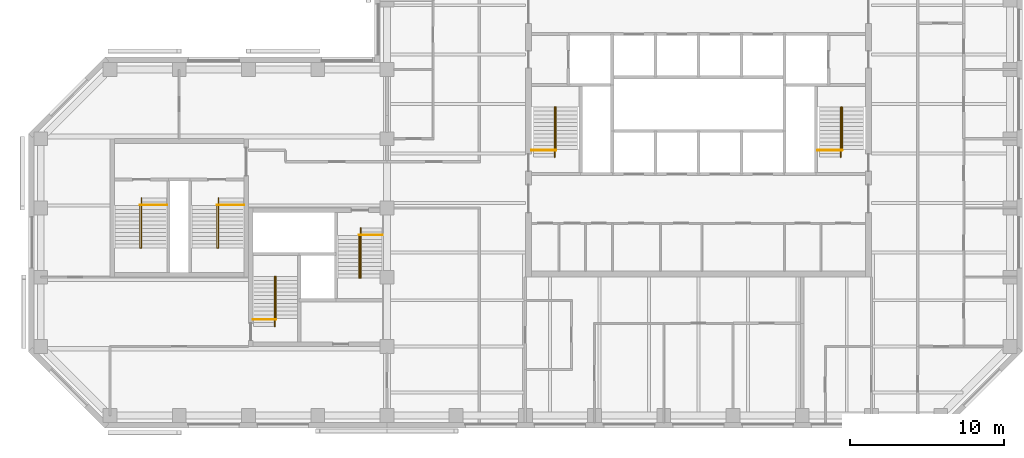
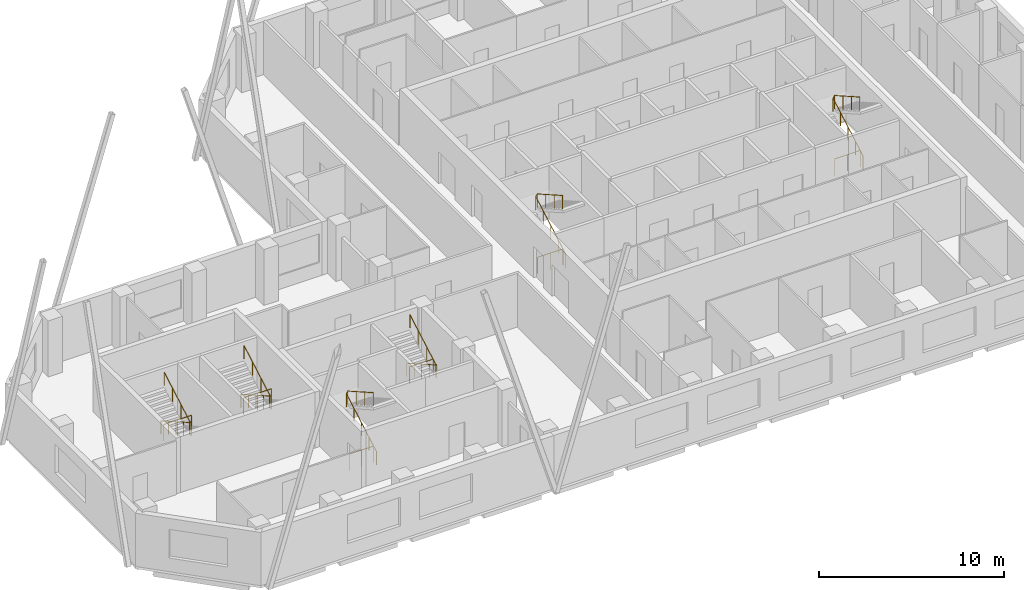
# One storey, part 10 of 10: 12 railings.
"""IFC4 building model written with IfcOpenShell, lengths in metres."""

import ifcopenshell
import ifcopenshell.guid

model = None  # the IFC model being written
_history = None  # IfcOwnerHistory: only IFC2X3 demands one
_inside = {}  # id of a spatial element -> (the spatial element, [elements in it])
_under = {}  # id of a project, library or spatial element -> (it, [spatial elements below it])
_declared = {}  # id of a project -> (the project, [libraries it declares])
_typed = {}  # id of a type object -> (the type object, [elements of that type])
_made_of = {}  # id of a material, layer set ... -> (it, [elements and type objects made of it])


def new_model(schema):
    """Start an empty IFC model of exactly this schema.

    Asked for "IFC4X3", IfcOpenShell would pick the latest addendum, in which some entities
    have other attributes; the version numbers below select the first issue.
    IFC2X3 requires an IfcOwnerHistory on every rooted entity: one is made here for all.
    """
    global model, _history
    if schema == "IFC4X3":
        model = ifcopenshell.file(schema_version=(4, 3, 0, 0))
    else:
        model = ifcopenshell.file(schema=schema)
    _inside.clear()
    _under.clear()
    _declared.clear()
    _typed.clear()
    _made_of.clear()
    _history = None
    if model.schema == "IFC2X3":
        org = make("IfcOrganization", Name="unknown")
        user = make(
            "IfcPersonAndOrganization",
            ThePerson=make("IfcPerson", FamilyName="unknown"),
            TheOrganization=org,
        )
        app = make(
            "IfcApplication",
            ApplicationDeveloper=org,
            Version="unknown",
            ApplicationFullName="unknown",
            ApplicationIdentifier="unknown",
        )
        _history = make(
            "IfcOwnerHistory",
            OwningUser=user,
            OwningApplication=app,
            ChangeAction="ADDED",
            CreationDate=0,
        )
    return model


def make(cls, **values):
    """One entity of the class cls with the attributes given. An attribute that is None is left unset."""
    return model.create_entity(
        cls, **{name: value for name, value in values.items() if value is not None}
    )


def rooted(cls, **values):
    """An entity with a GlobalId (a new one), such as an element, a storey or a relation."""
    return make(cls, GlobalId=ifcopenshell.guid.new(), OwnerHistory=_history, **values)


def si_unit(unit_type, name, prefix=None):
    """IfcSIUnit, for example si_unit("LENGTHUNIT", "METRE", prefix="MILLI")."""
    return make("IfcSIUnit", UnitType=unit_type, Prefix=prefix, Name=name)


def assignment(units):
    """IfcUnitAssignment: the units of a project."""
    return None if units is None else make("IfcUnitAssignment", Units=units)


def point(xyz):
    """IfcCartesianPoint."""
    return None if xyz is None else make("IfcCartesianPoint", Coordinates=xyz)


def direction(xyz):
    """IfcDirection."""
    return None if xyz is None else make("IfcDirection", DirectionRatios=xyz)


def frame(location, z_axis=None, x_axis=None):
    """IfcAxis2Placement3D, a coordinate frame: its origin and axes. An axis left out is left unset."""
    return make(
        "IfcAxis2Placement3D",
        Location=point(location),
        Axis=direction(z_axis),
        RefDirection=direction(x_axis),
    )


def frame_2d(location, x_axis=None):
    """IfcAxis2Placement2D, a coordinate frame in the plane: its origin and x axis."""
    return make(
        "IfcAxis2Placement2D", Location=point(location), RefDirection=direction(x_axis)
    )


def origin():
    """The frame at (0, 0, 0) with its axes left unset."""
    return frame((0.0, 0.0, 0.0))


def origin_2d():
    """The frame at (0, 0) in the plane with its x axis left unset."""
    return frame_2d((0.0, 0.0))


def place(relative_to, where):
    """IfcLocalPlacement: puts the frame where relative to a parent placement (None: the world)."""
    return make(
        "IfcLocalPlacement", PlacementRelTo=relative_to, RelativePlacement=where
    )


def context(
    kind, dimensions, precision=None, world=None, true_north=None, identifier=None
):
    """IfcGeometricRepresentationContext, for example the 3D "Model" context."""
    return make(
        "IfcGeometricRepresentationContext",
        ContextIdentifier=identifier,
        ContextType=kind,
        CoordinateSpaceDimension=dimensions,
        Precision=precision,
        WorldCoordinateSystem=world,
        TrueNorth=true_north,
    )


def subcontext(parent, identifier, kind, view, scale=None):
    """IfcGeometricRepresentationSubContext, for example "Body" below "Model"."""
    return make(
        "IfcGeometricRepresentationSubContext",
        ContextIdentifier=identifier,
        ContextType=kind,
        ParentContext=parent,
        TargetScale=scale,
        TargetView=view,
    )


def project(units=None, contexts=None):
    """IfcProject with its units and contexts."""
    return rooted(
        "IfcProject",
        Name="project",
        RepresentationContexts=contexts,
        UnitsInContext=assignment(units),
    )


def spatial(cls, under=None, at=None, **own):
    """A site, building, storey or space (cls), placed at a placement, below another one or the project."""
    s = rooted(cls, ObjectPlacement=at, **own)
    if under is not None:
        _under.setdefault(under.id(), (under, []))[1].append(s)
    return s


def profile(cls, at=None, kind="AREA", **sizes):
    """A parametric profile (cls). Its sizes go by their IFC names, for example OverallWidth=200.0."""
    return make(cls, ProfileType=kind, Position=at, **sizes)


def circle(**sizes):
    """IfcCircleProfileDef."""
    return profile("IfcCircleProfileDef", **sizes)


def extrude(swept, where, along, depth):
    """IfcExtrudedAreaSolid: the profile swept, set in the frame where, extruded along a direction by depth."""
    return make(
        "IfcExtrudedAreaSolid",
        SweptArea=swept,
        Position=where,
        ExtrudedDirection=direction(along),
        Depth=depth,
    )


def shape(context_of_items, identifier, shape_type, items):
    """IfcShapeRepresentation: the items that make up one representation, for example the "Body"."""
    return make(
        "IfcShapeRepresentation",
        ContextOfItems=context_of_items,
        RepresentationIdentifier=identifier,
        RepresentationType=shape_type,
        Items=items,
    )


def material(Name=None, Category=None):
    """IfcMaterial."""
    return make("IfcMaterial", Name=Name, Category=Category)


def made_of(thing, what):
    """Note that an element or type object is made of a material, layer set ...; save() writes the relation."""
    if what is not None:
        _made_of.setdefault(what.id(), (what, []))[1].append(thing)
    return thing


def type_object(cls, material=None, **own):
    """A type object (cls), such as IfcWallType, which elements share."""
    return made_of(rooted(cls, **own), material)


def element(
    cls,
    number,
    at=None,
    inside=None,
    cuts=None,
    type_object=None,
    material=None,
    context=None,
    identifier="Body",
    shape_type=None,
    held_by="IfcProductDefinitionShape",
    body=None,
    shapes=None,
    **own,
):
    """One element of the class cls, such as IfcWall. Its Tag is "e" and its number.

    at: its placement. inside: the storey or other place that contains it. cuts: it is an
    opening in that element (IfcRelVoidsElement). A single representation is given by context,
    identifier, shape_type and body (its items); several are given by shapes. held_by: the class
    of the entity that holds the representations. save() writes the other relations.
    """
    e = rooted(cls, Tag="e%d" % number, ObjectPlacement=at, **own)
    if body is not None:
        shapes = [shape(context, identifier, shape_type, body)]
    if shapes is not None:
        e.Representation = make(held_by, Representations=shapes)
    if inside is not None:
        _inside.setdefault(inside.id(), (inside, []))[1].append(e)
    if cuts is not None:
        rooted(
            "IfcRelVoidsElement", RelatingBuildingElement=cuts, RelatedOpeningElement=e
        )
    if type_object is not None:
        _typed.setdefault(type_object.id(), (type_object, []))[1].append(e)
    return made_of(e, material)


def aggregate(whole, parts):
    """IfcRelAggregates: a whole, such as a stair, and the parts it consists of."""
    return rooted("IfcRelAggregates", RelatingObject=whole, RelatedObjects=parts)


def save(model, path):
    """Write the relations noted so far, then the file.

    IfcRelAggregates (storeys below a building ...), IfcRelContainedInSpatialStructure (elements
    in a storey), IfcRelDefinesByType, IfcRelAssociatesMaterial and IfcRelDeclares: one each for
    every whole, place, type object, material and project.
    """
    for whole, parts in _under.values():
        aggregate(whole, parts)
    for where, things in _inside.values():
        rooted(
            "IfcRelContainedInSpatialStructure",
            RelatedElements=things,
            RelatingStructure=where,
        )
    for kind, things in _typed.values():
        rooted("IfcRelDefinesByType", RelatedObjects=things, RelatingType=kind)
    for what, things in _made_of.values():
        rooted("IfcRelAssociatesMaterial", RelatedObjects=things, RelatingMaterial=what)
    for by, libraries in _declared.values():
        rooted("IfcRelDeclares", RelatingContext=by, RelatedDefinitions=libraries)
    model.write(path)


model = new_model("IFC4")

# Units and contexts
model_context = context("Model", 3, precision=1e-05, world=origin(), true_north=direction((0.0, 1.0)))
body_context = subcontext(model_context, "Body", "Model", "MODEL_VIEW")
ifc_project = project(units=[si_unit("LENGTHUNIT", "METRE"), si_unit("AREAUNIT", "SQUARE_METRE"), si_unit("VOLUMEUNIT", "CUBIC_METRE"), si_unit("PLANEANGLEUNIT", "RADIAN"), si_unit("MASSUNIT", "GRAM", prefix="KILO")], contexts=[model_context])

# Site, building, storey
site_placement = place(None, origin())
site = spatial("IfcSite", under=ifc_project, at=site_placement, CompositionType="ELEMENT")
building_placement = place(site_placement, origin())
building = spatial("IfcBuilding", under=site, at=building_placement, Name="Quoin Convention Tower", CompositionType="ELEMENT")
storey_placement = place(building_placement, frame((0.0, 0.0, 188.39990234375)))
storey = spatial("IfcBuildingStorey", under=building, at=storey_placement, Name="L49", CompositionType="ELEMENT", Elevation=188.39990234375)

# Railings
ifc_material = material(Name="Stainless steel", Category="steel")
railing_type_1 = type_object("IfcRailingType", Name="Stair handrail 900", PredefinedType="HANDRAIL", material=ifc_material)
railing_1_placement = place(storey_placement, frame((46.905029296875, 57.300048828125, 0.142333984375)))
element("IfcRailing", 1, at=railing_1_placement, inside=storey, type_object=railing_type_1, Name="SD1 handrail 1", PredefinedType="HANDRAIL", context=body_context, shape_type="SweptSolid", body=[
    extrude(circle(Radius=0.02392578125, at=origin_2d()), frame((0.0, 0.0, 0.8759765625), z_axis=(0.0, 0.869053504361, 0.494718108177), x_axis=(-1.0, 0.0, 0.0)), (0.0, 0.0, 1.0), 3.73974609375),
    extrude(circle(Radius=0.02392578125, at=origin_2d()), frame((0.0, 3.25, 2.72607421875), z_axis=(0.53481069233, 0.0, 0.844971906852), x_axis=(0.0, 1.0, 0.0)), (0.0, 0.0, 1.0), 0.16845703125),
    extrude(circle(Radius=0.02392578125, at=origin_2d()), frame((0.090087890625, 3.25, 2.8681640625), z_axis=(0.0, -0.869058607571, 0.494709143443), x_axis=(1.0, 0.0, 0.0)), (0.0, 0.0, 1.0), 3.164306640625),
    extrude(circle(Radius=0.02099609375, at=origin_2d()), origin(), (0.0, 0.0, 1.0), 0.851806640625),
    extrude(circle(Radius=0.02099609375, at=origin_2d()), frame((0.0, 0.8125, 0.46240234375)), (0.0, 0.0, 1.0), 0.851806640625),
    extrude(circle(Radius=0.02099609375, at=origin_2d()), frame((0.0, 1.625, 0.925048828125)), (0.0, 0.0, 1.0), 0.851806640625),
    extrude(circle(Radius=0.02099609375, at=origin_2d()), frame((0.0, 2.4375, 1.3876953125)), (0.0, 0.0, 1.0), 0.851806640625),
    extrude(circle(Radius=0.02099609375, at=origin_2d()), frame((0.0, 3.25, 1.85009765625)), (0.0, 0.0, 1.0), 0.851806640625),
    extrude(circle(Radius=0.02099609375, at=origin_2d()), frame((0.090087890625, 3.25, 1.992431640625)), (0.0, 0.0, 1.0), 0.851806640625),
    extrude(circle(Radius=0.02099609375, at=origin_2d()), frame((0.090087890625, 2.333251953125, 2.51416015625)), (0.0, 0.0, 1.0), 0.851806640625),
    extrude(circle(Radius=0.02099609375, at=origin_2d()), frame((0.090087890625, 1.416748046875, 3.0361328125)), (0.0, 0.0, 1.0), 0.851806640625),
    extrude(circle(Radius=0.02099609375, at=origin_2d()), frame((0.090087890625, 0.5, 3.557861328125)), (0.0, 0.0, 1.0), 0.851806640625),
])
railing_2_placement = place(storey_placement, frame((65.5048828125, 57.300048828125, 0.142333984375)))
element("IfcRailing", 2, at=railing_2_placement, inside=storey, type_object=railing_type_1, Name="SD2 handrail 1", PredefinedType="HANDRAIL", context=body_context, shape_type="SweptSolid", body=[
    extrude(circle(Radius=0.02392578125, at=origin_2d()), frame((0.0, 0.0, 0.8759765625), z_axis=(0.0, 0.869053504361, 0.494718108177), x_axis=(-1.0, 0.0, 0.0)), (0.0, 0.0, 1.0), 3.73974609375),
    extrude(circle(Radius=0.02392578125, at=origin_2d()), frame((0.0, 3.25, 2.72607421875), z_axis=(0.53481069233, 0.0, 0.844971906852), x_axis=(0.0, 1.0, 0.0)), (0.0, 0.0, 1.0), 0.16845703125),
    extrude(circle(Radius=0.02392578125, at=origin_2d()), frame((0.090087890625, 3.25, 2.8681640625), z_axis=(0.0, -0.869058607571, 0.494709143443), x_axis=(1.0, 0.0, 0.0)), (0.0, 0.0, 1.0), 3.164306640625),
    extrude(circle(Radius=0.02099609375, at=origin_2d()), origin(), (0.0, 0.0, 1.0), 0.851806640625),
    extrude(circle(Radius=0.02099609375, at=origin_2d()), frame((0.0, 0.8125, 0.46240234375)), (0.0, 0.0, 1.0), 0.851806640625),
    extrude(circle(Radius=0.02099609375, at=origin_2d()), frame((0.0, 1.625, 0.925048828125)), (0.0, 0.0, 1.0), 0.851806640625),
    extrude(circle(Radius=0.02099609375, at=origin_2d()), frame((0.0, 2.4375, 1.3876953125)), (0.0, 0.0, 1.0), 0.851806640625),
    extrude(circle(Radius=0.02099609375, at=origin_2d()), frame((0.0, 3.25, 1.85009765625)), (0.0, 0.0, 1.0), 0.851806640625),
    extrude(circle(Radius=0.02099609375, at=origin_2d()), frame((0.090087890625, 3.25, 1.992431640625)), (0.0, 0.0, 1.0), 0.851806640625),
    extrude(circle(Radius=0.02099609375, at=origin_2d()), frame((0.090087890625, 2.333251953125, 2.51416015625)), (0.0, 0.0, 1.0), 0.851806640625),
    extrude(circle(Radius=0.02099609375, at=origin_2d()), frame((0.090087890625, 1.416748046875, 3.0361328125)), (0.0, 0.0, 1.0), 0.851806640625),
    extrude(circle(Radius=0.02099609375, at=origin_2d()), frame((0.090087890625, 0.5, 3.557861328125)), (0.0, 0.0, 1.0), 0.851806640625),
])
railing_3_placement = place(storey_placement, frame((28.705078125, 46.300048828125, 0.142333984375)))
element("IfcRailing", 3, at=railing_3_placement, inside=storey, type_object=railing_type_1, Name="SD3 handrail 1", PredefinedType="HANDRAIL", context=body_context, shape_type="SweptSolid", body=[
    extrude(circle(Radius=0.02392578125, at=origin_2d()), frame((0.0, 0.0, 0.8759765625), z_axis=(0.0, 0.869053504361, 0.494718108177), x_axis=(-1.0, 0.0, 0.0)), (0.0, 0.0, 1.0), 3.73974609375),
    extrude(circle(Radius=0.02392578125, at=origin_2d()), frame((0.0, 3.25, 2.72607421875), z_axis=(0.533774684331, 0.0, 0.845626741753), x_axis=(0.0, 1.0, 0.0)), (0.0, 0.0, 1.0), 0.168212890625),
    extrude(circle(Radius=0.02392578125, at=origin_2d()), frame((0.08984375, 3.25, 2.8681640625), z_axis=(0.0, -0.869058607571, 0.494709143443), x_axis=(1.0, 0.0, 0.0)), (0.0, 0.0, 1.0), 3.164306640625),
    extrude(circle(Radius=0.02099609375, at=origin_2d()), origin(), (0.0, 0.0, 1.0), 0.851806640625),
    extrude(circle(Radius=0.02099609375, at=origin_2d()), frame((0.0, 0.8125, 0.46240234375)), (0.0, 0.0, 1.0), 0.851806640625),
    extrude(circle(Radius=0.02099609375, at=origin_2d()), frame((0.0, 1.625, 0.925048828125)), (0.0, 0.0, 1.0), 0.851806640625),
    extrude(circle(Radius=0.02099609375, at=origin_2d()), frame((0.0, 2.4375, 1.3876953125)), (0.0, 0.0, 1.0), 0.851806640625),
    extrude(circle(Radius=0.02099609375, at=origin_2d()), frame((0.0, 3.25, 1.85009765625)), (0.0, 0.0, 1.0), 0.851806640625),
    extrude(circle(Radius=0.02099609375, at=origin_2d()), frame((0.08984375, 3.25, 1.992431640625)), (0.0, 0.0, 1.0), 0.851806640625),
    extrude(circle(Radius=0.02099609375, at=origin_2d()), frame((0.08984375, 2.333251953125, 2.51416015625)), (0.0, 0.0, 1.0), 0.851806640625),
    extrude(circle(Radius=0.02099609375, at=origin_2d()), frame((0.08984375, 1.416748046875, 3.0361328125)), (0.0, 0.0, 1.0), 0.851806640625),
    extrude(circle(Radius=0.02099609375, at=origin_2d()), frame((0.08984375, 0.5, 3.557861328125)), (0.0, 0.0, 1.0), 0.851806640625),
])
railing_4_placement = place(storey_placement, frame((34.294921875, 52.699951171875, 0.142333984375)))
element("IfcRailing", 4, at=railing_4_placement, inside=storey, type_object=railing_type_1, Name="SD4 handrail 1", PredefinedType="HANDRAIL", context=body_context, shape_type="SweptSolid", body=[
    extrude(circle(Radius=0.02392578125, at=origin_2d()), frame((0.0, 0.0, 0.8759765625), z_axis=(0.0, -0.869053504361, 0.494718108177), x_axis=(1.0, 0.0, 0.0)), (0.0, 0.0, 1.0), 3.73974609375),
    extrude(circle(Radius=0.02392578125, at=origin_2d()), frame((0.0, -3.25, 2.72607421875), z_axis=(-0.533774684331, 0.0, 0.845626741753), x_axis=(0.0, -1.0, 0.0)), (0.0, 0.0, 1.0), 0.168212890625),
    extrude(circle(Radius=0.02392578125, at=origin_2d()), frame((-0.08984375, -3.25, 2.8681640625), z_axis=(0.0, 0.869058607571, 0.494709143443), x_axis=(-1.0, 0.0, 0.0)), (0.0, 0.0, 1.0), 3.164306640625),
    extrude(circle(Radius=0.02099609375, at=origin_2d()), origin(), (0.0, 0.0, 1.0), 0.851806640625),
    extrude(circle(Radius=0.02099609375, at=origin_2d()), frame((0.0, -0.8125, 0.46240234375)), (0.0, 0.0, 1.0), 0.851806640625),
    extrude(circle(Radius=0.02099609375, at=origin_2d()), frame((0.0, -1.625, 0.925048828125)), (0.0, 0.0, 1.0), 0.851806640625),
    extrude(circle(Radius=0.02099609375, at=origin_2d()), frame((0.0, -2.4375, 1.3876953125)), (0.0, 0.0, 1.0), 0.851806640625),
    extrude(circle(Radius=0.02099609375, at=origin_2d()), frame((0.0, -3.25, 1.85009765625)), (0.0, 0.0, 1.0), 0.851806640625),
    extrude(circle(Radius=0.02099609375, at=origin_2d()), frame((-0.08984375, -3.25, 1.992431640625)), (0.0, 0.0, 1.0), 0.851806640625),
    extrude(circle(Radius=0.02099609375, at=origin_2d()), frame((-0.08984375, -2.333251953125, 2.51416015625)), (0.0, 0.0, 1.0), 0.851806640625),
    extrude(circle(Radius=0.02099609375, at=origin_2d()), frame((-0.08984375, -1.416748046875, 3.0361328125)), (0.0, 0.0, 1.0), 0.851806640625),
    extrude(circle(Radius=0.02099609375, at=origin_2d()), frame((-0.08984375, -0.5, 3.557861328125)), (0.0, 0.0, 1.0), 0.851806640625),
])
railing_5_placement = place(storey_placement, frame((20.044921875, 54.64990234375, 0.142333984375)))
element("IfcRailing", 5, at=railing_5_placement, inside=storey, type_object=railing_type_1, Name="SD11 handrail 1", PredefinedType="HANDRAIL", context=body_context, shape_type="SweptSolid", body=[
    extrude(circle(Radius=0.02392578125, at=origin_2d()), frame((0.0, 0.0, 0.8759765625), z_axis=(0.0, -0.869053504361, 0.494718108177), x_axis=(1.0, 0.0, 0.0)), (0.0, 0.0, 1.0), 3.73974609375),
    extrude(circle(Radius=0.02392578125, at=origin_2d()), frame((0.0, -3.25, 2.72607421875), z_axis=(-0.533774684331, 0.0, 0.845626741753), x_axis=(0.0, -1.0, 0.0)), (0.0, 0.0, 1.0), 0.168212890625),
    extrude(circle(Radius=0.02392578125, at=origin_2d()), frame((-0.08984375, -3.25, 2.8681640625), z_axis=(0.0, 0.869058607571, 0.494709143443), x_axis=(-1.0, 0.0, 0.0)), (0.0, 0.0, 1.0), 3.164306640625),
    extrude(circle(Radius=0.02099609375, at=origin_2d()), origin(), (0.0, 0.0, 1.0), 0.851806640625),
    extrude(circle(Radius=0.02099609375, at=origin_2d()), frame((0.0, -0.8125, 0.46240234375)), (0.0, 0.0, 1.0), 0.851806640625),
    extrude(circle(Radius=0.02099609375, at=origin_2d()), frame((0.0, -1.625, 0.925048828125)), (0.0, 0.0, 1.0), 0.851806640625),
    extrude(circle(Radius=0.02099609375, at=origin_2d()), frame((0.0, -2.4375, 1.3876953125)), (0.0, 0.0, 1.0), 0.851806640625),
    extrude(circle(Radius=0.02099609375, at=origin_2d()), frame((0.0, -3.25, 1.85009765625)), (0.0, 0.0, 1.0), 0.851806640625),
    extrude(circle(Radius=0.02099609375, at=origin_2d()), frame((-0.08984375, -3.25, 1.992431640625)), (0.0, 0.0, 1.0), 0.851806640625),
    extrude(circle(Radius=0.02099609375, at=origin_2d()), frame((-0.08984375, -2.333251953125, 2.51416015625)), (0.0, 0.0, 1.0), 0.851806640625),
    extrude(circle(Radius=0.02099609375, at=origin_2d()), frame((-0.08984375, -1.416748046875, 3.0361328125)), (0.0, 0.0, 1.0), 0.851806640625),
    extrude(circle(Radius=0.02099609375, at=origin_2d()), frame((-0.08984375, -0.5, 3.557861328125)), (0.0, 0.0, 1.0), 0.851806640625),
])
railing_6_placement = place(storey_placement, frame((25.044921875, 54.64990234375, 0.142333984375)))
element("IfcRailing", 6, at=railing_6_placement, inside=storey, type_object=railing_type_1, Name="SD12 handrail 1", PredefinedType="HANDRAIL", context=body_context, shape_type="SweptSolid", body=[
    extrude(circle(Radius=0.02392578125, at=origin_2d()), frame((0.0, 0.0, 0.8759765625), z_axis=(0.0, -0.869053504361, 0.494718108177), x_axis=(1.0, 0.0, 0.0)), (0.0, 0.0, 1.0), 3.73974609375),
    extrude(circle(Radius=0.02392578125, at=origin_2d()), frame((0.0, -3.25, 2.72607421875), z_axis=(-0.533774684331, 0.0, 0.845626741753), x_axis=(0.0, -1.0, 0.0)), (0.0, 0.0, 1.0), 0.168212890625),
    extrude(circle(Radius=0.02392578125, at=origin_2d()), frame((-0.08984375, -3.25, 2.8681640625), z_axis=(0.0, 0.869058607571, 0.494709143443), x_axis=(-1.0, 0.0, 0.0)), (0.0, 0.0, 1.0), 3.164306640625),
    extrude(circle(Radius=0.02099609375, at=origin_2d()), origin(), (0.0, 0.0, 1.0), 0.851806640625),
    extrude(circle(Radius=0.02099609375, at=origin_2d()), frame((0.0, -0.8125, 0.46240234375)), (0.0, 0.0, 1.0), 0.851806640625),
    extrude(circle(Radius=0.02099609375, at=origin_2d()), frame((0.0, -1.625, 0.925048828125)), (0.0, 0.0, 1.0), 0.851806640625),
    extrude(circle(Radius=0.02099609375, at=origin_2d()), frame((0.0, -2.4375, 1.3876953125)), (0.0, 0.0, 1.0), 0.851806640625),
    extrude(circle(Radius=0.02099609375, at=origin_2d()), frame((0.0, -3.25, 1.85009765625)), (0.0, 0.0, 1.0), 0.851806640625),
    extrude(circle(Radius=0.02099609375, at=origin_2d()), frame((-0.08984375, -3.25, 1.992431640625)), (0.0, 0.0, 1.0), 0.851806640625),
    extrude(circle(Radius=0.02099609375, at=origin_2d()), frame((-0.08984375, -2.333251953125, 2.51416015625)), (0.0, 0.0, 1.0), 0.851806640625),
    extrude(circle(Radius=0.02099609375, at=origin_2d()), frame((-0.08984375, -1.416748046875, 3.0361328125)), (0.0, 0.0, 1.0), 0.851806640625),
    extrude(circle(Radius=0.02099609375, at=origin_2d()), frame((-0.08984375, -0.5, 3.557861328125)), (0.0, 0.0, 1.0), 0.851806640625),
])
railing_type_2 = type_object("IfcRailingType", Name="Stair top guard 1100", PredefinedType="GUARDRAIL", material=ifc_material)
railing_7_placement = place(storey_placement, frame((45.39990234375, 57.75, 0.0)))
element("IfcRailing", 7, at=railing_7_placement, inside=storey, type_object=railing_type_2, Name="SD1 top guard", PredefinedType="GUARDRAIL", context=body_context, shape_type="SweptSolid", body=[
    extrude(circle(Radius=0.02392578125, at=origin_2d()), frame((0.0, 0.0, 1.076171875), z_axis=(1.0, 0.0, 0.0), x_axis=(0.0, 1.0, 0.0)), (0.0, 0.0, 1.0), 1.59521484375),
    extrude(circle(Radius=0.02099609375, at=origin_2d()), origin(), (0.0, 0.0, 1.0), 1.052001953125),
    extrude(circle(Radius=0.02099609375, at=origin_2d()), frame((0.797607421875, 0.0, 0.0)), (0.0, 0.0, 1.0), 1.052001953125),
    extrude(circle(Radius=0.02099609375, at=origin_2d()), frame((1.59521484375, 0.0, 0.0)), (0.0, 0.0, 1.0), 1.052001953125),
])
railing_8_placement = place(storey_placement, frame((64.0, 57.75, 0.0)))
element("IfcRailing", 8, at=railing_8_placement, inside=storey, type_object=railing_type_2, Name="SD2 top guard", PredefinedType="GUARDRAIL", context=body_context, shape_type="SweptSolid", body=[
    extrude(circle(Radius=0.02392578125, at=origin_2d()), frame((0.0, 0.0, 1.076171875), z_axis=(1.0, 0.0, 0.0), x_axis=(0.0, 1.0, 0.0)), (0.0, 0.0, 1.0), 1.594970703125),
    extrude(circle(Radius=0.02099609375, at=origin_2d()), origin(), (0.0, 0.0, 1.0), 1.052001953125),
    extrude(circle(Radius=0.02099609375, at=origin_2d()), frame((0.79736328125, 0.0, 0.0)), (0.0, 0.0, 1.0), 1.052001953125),
    extrude(circle(Radius=0.02099609375, at=origin_2d()), frame((1.594970703125, 0.0, 0.0)), (0.0, 0.0, 1.0), 1.052001953125),
])
railing_9_placement = place(storey_placement, frame((27.300048828125, 46.75, 0.0)))
element("IfcRailing", 9, at=railing_9_placement, inside=storey, type_object=railing_type_2, Name="SD3 top guard", PredefinedType="GUARDRAIL", context=body_context, shape_type="SweptSolid", body=[
    extrude(circle(Radius=0.02392578125, at=origin_2d()), frame((0.0, 0.0, 1.076171875), z_axis=(1.0, 0.0, 0.0), x_axis=(0.0, 1.0, 0.0)), (0.0, 0.0, 1.0), 1.494873046875),
    extrude(circle(Radius=0.02099609375, at=origin_2d()), origin(), (0.0, 0.0, 1.0), 1.052001953125),
    extrude(circle(Radius=0.02099609375, at=origin_2d()), frame((0.74755859375, 0.0, 0.0)), (0.0, 0.0, 1.0), 1.052001953125),
    extrude(circle(Radius=0.02099609375, at=origin_2d()), frame((1.494873046875, 0.0, 0.0)), (0.0, 0.0, 1.0), 1.052001953125),
])
railing_10_placement = place(storey_placement, frame((35.699951171875, 52.25, 0.0)))
element("IfcRailing", 10, at=railing_10_placement, inside=storey, type_object=railing_type_2, Name="SD4 top guard", PredefinedType="GUARDRAIL", context=body_context, shape_type="SweptSolid", body=[
    extrude(circle(Radius=0.02392578125, at=origin_2d()), frame((0.0, 0.0, 1.076171875), z_axis=(-1.0, 0.0, 0.0), x_axis=(0.0, -1.0, 0.0)), (0.0, 0.0, 1.0), 1.494873046875),
    extrude(circle(Radius=0.02099609375, at=origin_2d()), origin(), (0.0, 0.0, 1.0), 1.052001953125),
    extrude(circle(Radius=0.02099609375, at=origin_2d()), frame((-0.74755859375, 0.0, 0.0)), (0.0, 0.0, 1.0), 1.052001953125),
    extrude(circle(Radius=0.02099609375, at=origin_2d()), frame((-1.494873046875, 0.0, 0.0)), (0.0, 0.0, 1.0), 1.052001953125),
])
for number, where, name in (
    (11, (21.699951171875, 54.199951171875, 0.0), "SD11 top guard"),
    (12, (26.699951171875, 54.199951171875, 0.0), "SD12 top guard"),
):
    element("IfcRailing", number, at=place(storey_placement, frame(where)), inside=storey, type_object=railing_type_2, Name=name, PredefinedType="GUARDRAIL", context=body_context, shape_type="SweptSolid", body=[
        extrude(circle(Radius=0.02392578125, at=origin_2d()), frame((0.0, 0.0, 1.076171875), z_axis=(-1.0, 0.0, 0.0), x_axis=(0.0, -1.0, 0.0)), (0.0, 0.0, 1.0), 1.744873046875),
        extrude(circle(Radius=0.02099609375, at=origin_2d()), origin(), (0.0, 0.0, 1.0), 1.052001953125),
        extrude(circle(Radius=0.02099609375, at=origin_2d()), frame((-0.87255859375, 0.0, 0.0)), (0.0, 0.0, 1.0), 1.052001953125),
        extrude(circle(Radius=0.02099609375, at=origin_2d()), frame((-1.744873046875, 0.0, 0.0)), (0.0, 0.0, 1.0), 1.052001953125),
    ])

save(model, "model.ifc")
